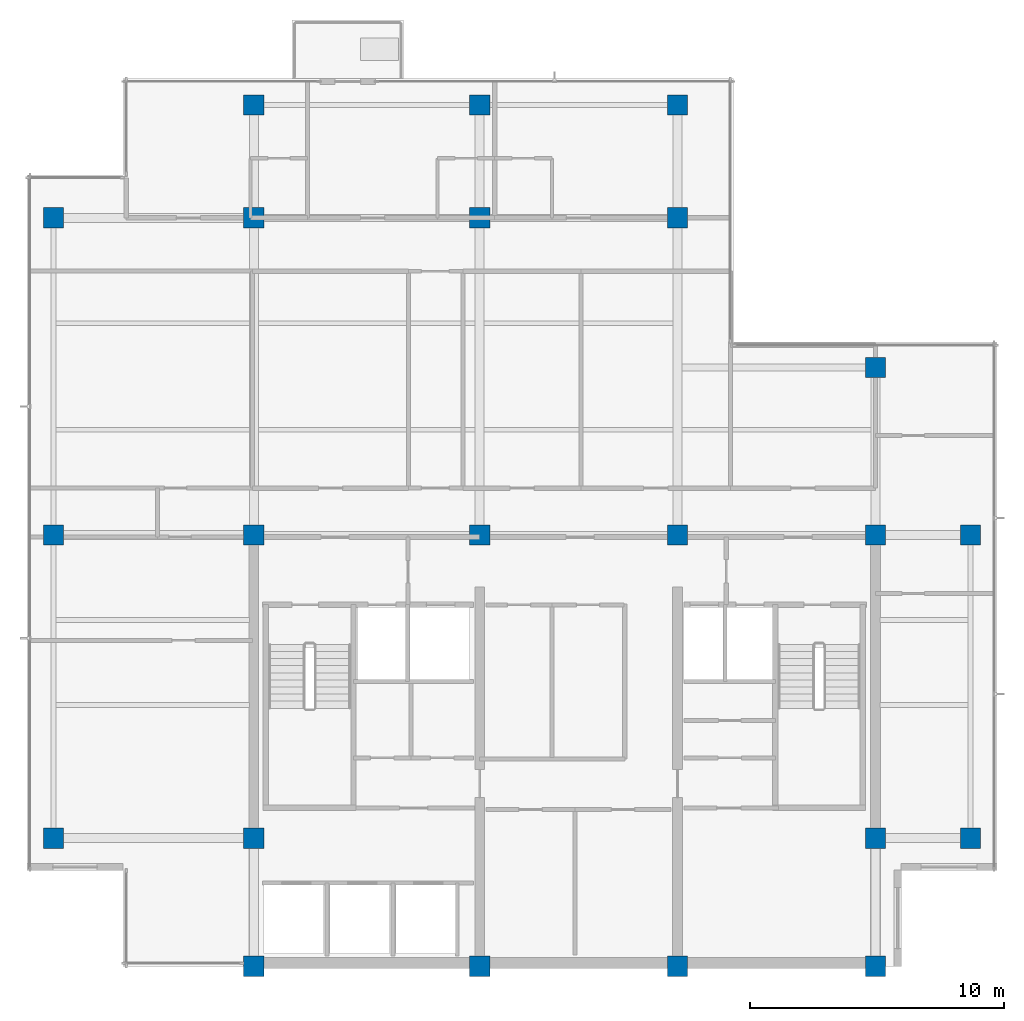
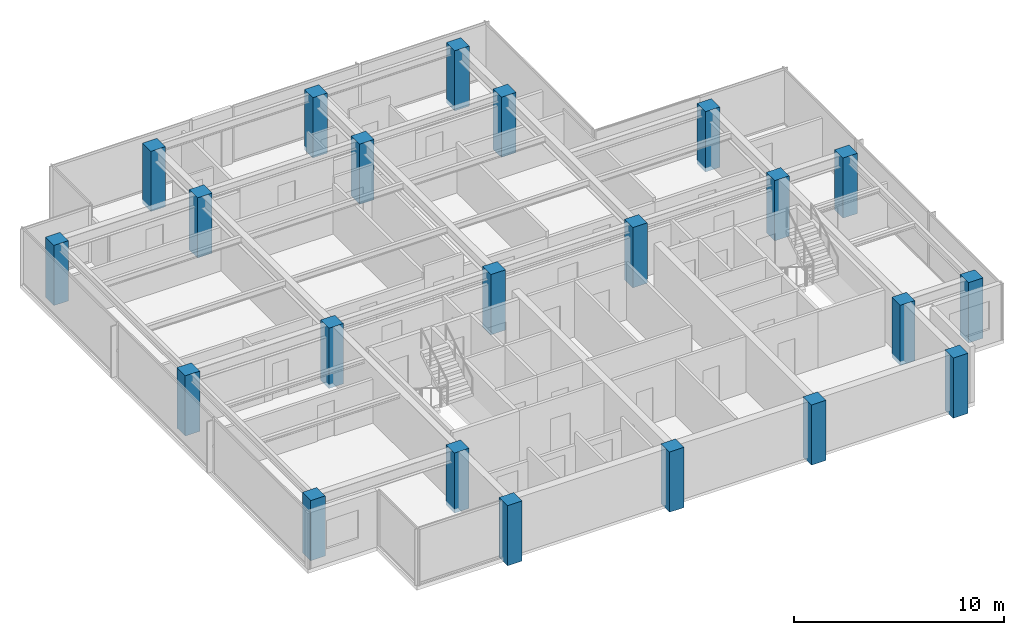
# One storey, part 1 of 11: 22 columns.
"""IFC4 building model written with IfcOpenShell, lengths in metres."""

from ifc_helpers import new_model, si_unit, direction, frame, origin, origin_2d, place, context, subcontext, project, spatial, rectangle, extrude, material, material_profile, profile_set, type_object, element, save


model = new_model("IFC4")

# Units and contexts
model_context = context("Model", 3, precision=1e-05, world=origin(), true_north=direction((0.0, 1.0)))
body_context = subcontext(model_context, "Body", "Model", "MODEL_VIEW")
ifc_project = project(units=[si_unit("LENGTHUNIT", "METRE"), si_unit("AREAUNIT", "SQUARE_METRE"), si_unit("VOLUMEUNIT", "CUBIC_METRE"), si_unit("PLANEANGLEUNIT", "RADIAN"), si_unit("MASSUNIT", "GRAM", prefix="KILO")], contexts=[model_context])

# Site, building, storey
site_placement = place(None, origin())
site = spatial("IfcSite", under=ifc_project, at=site_placement, CompositionType="ELEMENT")
building_placement = place(site_placement, origin())
building = spatial("IfcBuilding", under=site, at=building_placement, Name="Qalmaran Belvedere Hotel", CompositionType="ELEMENT")
storey_placement = place(building_placement, frame((0.0, 0.0, 266.89990234375)))
storey = spatial("IfcBuildingStorey", under=building, at=storey_placement, Name="L69", CompositionType="ELEMENT", Elevation=266.89990234375)

# Columns
ifc_material = material(Name="Concrete C50/60", Category="concrete")
ifc_material_profile = material_profile(ifc_material, rectangle(XDim=0.800048828125, YDim=0.800048828125, at=origin_2d()), Name="CC800X800")
ifc_profile_set = profile_set([ifc_material_profile], Name="Concrete C50/60")
column_type = type_object("IfcColumnType", Name="COL-Z5-CC800", PredefinedType="COLUMN", material=ifc_profile_set)
for number, where, z_axis, x_axis, name in (
    (1, (20.300048828125, 3.5, -0.239990234375), (0.0, 0.0, 1.0), (1.0, 0.0, 0.0), "L69 Column C4B"),
    (2, (29.199951171875, 3.5, -0.239990234375), (0.0, 0.0, 1.0), (1.0, 0.0, 0.0), "L69 Column C5B"),
    (3, (37.0, 3.5, -0.239990234375), (0.0, 0.0, 1.0), (1.0, 0.0, 0.0), "L69 Column C6B"),
    (4, (44.800048828125, 3.5, -0.239990234375), (0.0, 0.0, 1.0), (1.0, 0.0, 0.0), "L69 Column C7B"),
    (5, (20.300048828125, 8.550048828125, -0.239990234375), (0.0, 0.0, 1.0), (1.0, 0.0, 0.0), "L69 Column C4C"),
    (6, (44.800048828125, 8.550048828125, -0.239990234375), (0.0, 0.0, 1.0), (1.0, 0.0, 0.0), "L69 Column C7C"),
    (7, (20.300048828125, 20.5, -0.239990234375), (0.0, 0.0, 1.0), (1.0, 0.0, 0.0), "L69 Column C4D"),
    (8, (29.199951171875, 20.5, -0.239990234375), (0.0, 0.0, 1.0), (1.0, 0.0, 0.0), "L69 Column C5D"),
    (9, (37.0, 20.5, -0.239990234375), (0.0, 0.0, 1.0), (1.0, 0.0, 0.0), "L69 Column C6D"),
    (10, (44.800048828125, 20.5, -0.239990234375), (0.0, 0.0, 1.0), (1.0, 0.0, 0.0), "L69 Column C7D"),
    (11, (20.300048828125, 33.0, -0.239990234375), (0.0, 0.0, 1.0), (1.0, 0.0, 0.0), "L69 Column C4F"),
    (12, (29.199951171875, 33.0, -0.239990234375), (0.0, 0.0, 1.0), (1.0, 0.0, 0.0), "L69 Column C5F"),
    (13, (37.0, 33.0, -0.239990234375), (0.0, 0.0, 1.0), (1.0, 0.0, 0.0), "L69 Column C6F"),
    (14, (44.800048828125, 27.10009765625, -0.239990234375), (0.0, 0.0, 1.0), (1.0, 0.0, 0.0), "L69 Column C7E"),
    (15, (12.39990234375, 8.550048828125, -0.239990234375), (0.0, 0.0, 1.0), (1.0, 0.0, 0.0), "L69 Column CW1"),
    (16, (12.39990234375, 20.5, -0.239990234375), (0.0, 0.0, 1.0), (1.0, 0.0, 0.0), "L69 Column CW3"),
    (17, (12.39990234375, 33.0, -0.239990234375), (0.0, 0.0, 1.0), (1.0, 0.0, 0.0), "L69 Column CW4"),
    (18, (48.550048828125, 8.550048828125, -0.239990234375), (0.0, 0.0, 1.0), (1.0, 0.0, 0.0), "L69 Column CE1"),
    (19, (48.550048828125, 20.5, -0.239990234375), (0.0, 0.0, 1.0), (1.0, 0.0, 0.0), "L69 Column CE3"),
    (20, (20.300048828125, 37.449951171875, -0.239990234375), (0.0, 0.0, 1.0), (1.0, 0.0, 0.0), "L69 Column CN1"),
    (21, (29.199951171875, 37.449951171875, -0.239990234375), (0.0, 0.0, 1.0), (1.0, 0.0, 0.0), "L69 Column CN2"),
    (22, (37.0, 37.449951171875, -0.239990234375), (0.0, 0.0, 1.0), (1.0, 0.0, 0.0), "L69 Column CN3"),
):
    element("IfcColumn", number, at=place(storey_placement, frame(where, z_axis=z_axis, x_axis=x_axis)), inside=storey, type_object=column_type, Name=name, PredefinedType="COLUMN", context=body_context, shape_type="SweptSolid", body=[
        extrude(rectangle(XDim=0.800048828125, YDim=0.800048828125, at=origin_2d()), origin(), (0.0, 0.0, 1.0), 3.5),
    ])

save(model, "model.ifc")
